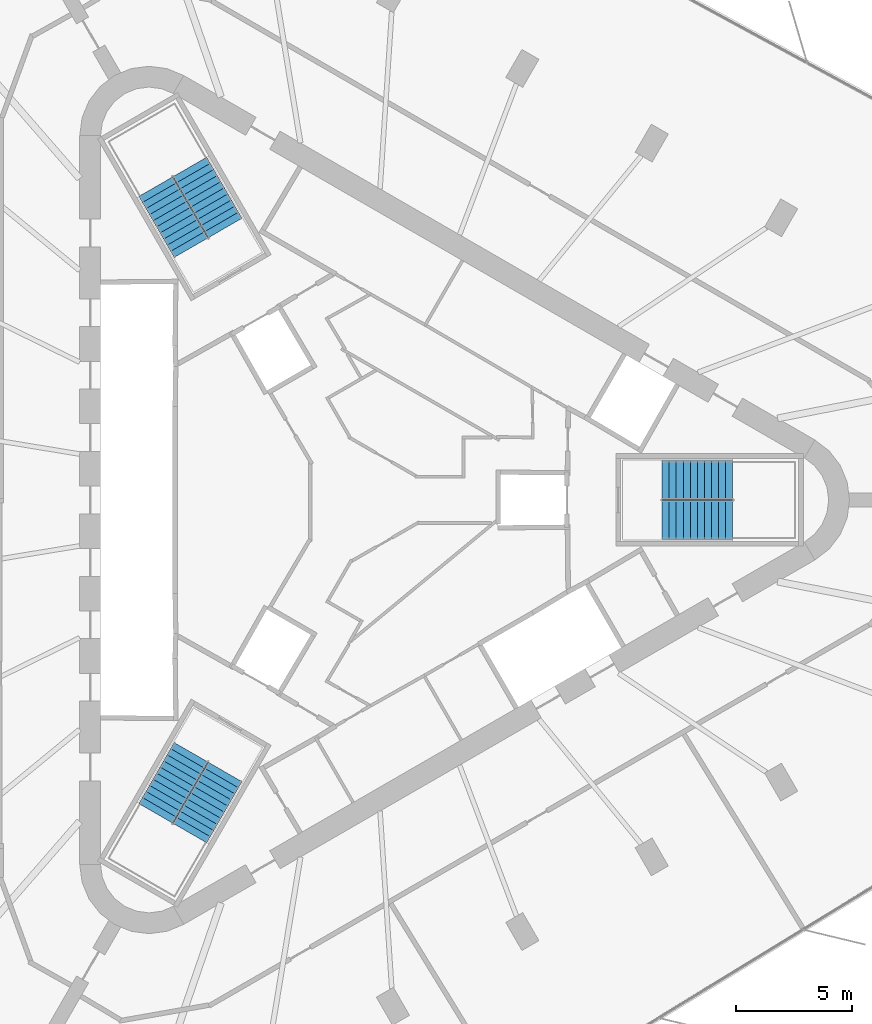
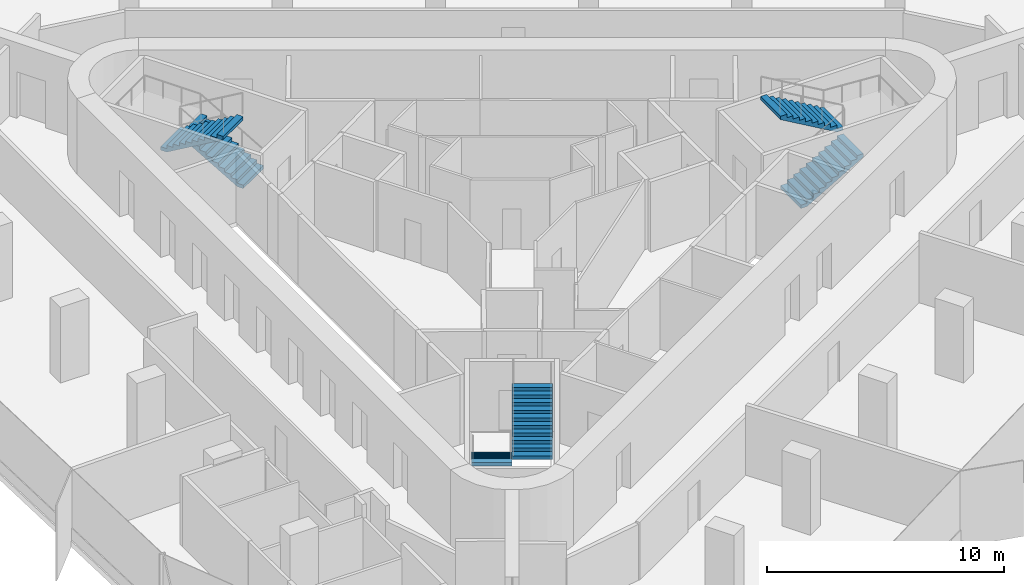
# One storey, part 11 of 12: 6 stair flights, 3 elements without a shape of their own.
"""IFC4 building model written with IfcOpenShell, lengths in metres."""

from ifc_helpers import new_model, si_unit, direction, frame, origin, place, context, subcontext, project, spatial, polyline, outline, extrude, material, type_object, element, aggregate, save


model = new_model("IFC4")

# Units and contexts
model_context = context("Model", 3, precision=1e-05, world=origin(), true_north=direction((0.0, 1.0)))
body_context = subcontext(model_context, "Body", "Model", "MODEL_VIEW")
ifc_project = project(units=[si_unit("LENGTHUNIT", "METRE"), si_unit("AREAUNIT", "SQUARE_METRE"), si_unit("VOLUMEUNIT", "CUBIC_METRE"), si_unit("PLANEANGLEUNIT", "RADIAN"), si_unit("MASSUNIT", "GRAM", prefix="KILO")], contexts=[model_context])

# Site, building, storey
site_placement = place(None, origin())
site = spatial("IfcSite", under=ifc_project, at=site_placement, CompositionType="ELEMENT")
building_placement = place(site_placement, origin())
building = spatial("IfcBuilding", under=site, at=building_placement, Name="Tanit Gate Tower", CompositionType="ELEMENT")
storey_placement = place(building_placement, frame((0.0, 0.0, 349.39990234375)))
storey = spatial("IfcBuildingStorey", under=building, at=storey_placement, Name="L79", CompositionType="ELEMENT", Elevation=349.39990234375)

# Stair, stair flights
ifc_material_1 = material(Name="Concrete C40/50", Category="concrete")
stair_type = type_object("IfcStairType", Name="INT-STAIR-EXIT", PredefinedType="HALF_TURN_STAIR", material=ifc_material_1)
stair_1_placement = place(storey_placement, origin())
stair_1 = element("IfcStair", 1, at=stair_1_placement, inside=storey, type_object=stair_type, Name="L79 STAIR S1", PredefinedType="HALF_TURN_STAIR")
ifc_material_2 = material(Name="Concrete C40/50", Category="concrete")
stair_flight_type = type_object("IfcStairFlightType", Name="INT-STAIR-FLIGHT", PredefinedType="STRAIGHT", material=ifc_material_2)
stair_flight_1_placement = place(storey_placement, frame((13.094970703125, -0.8525390625, 0.0), z_axis=(0.0, 0.0, 1.0), x_axis=(1.0, 0.0, 0.0)))
stair_flight_1 = element("IfcStairFlight", 2, at=stair_flight_1_placement, type_object=stair_flight_type, Name="S1 flight 1", NumberOfRisers=11, NumberOfTreads=10, PredefinedType="STRAIGHT", RiserHeight=0.177272727, TreadLength=0.3051, context=body_context, shape_type="SweptSolid", body=[
    extrude(outline(polyline([(0.0, 0.0), (0.0, 0.17724609375), (0.30517578125, 0.17724609375), (0.30517578125, 0.3544921875), (0.610107421875, 0.3544921875), (0.610107421875, 0.53173828125), (0.915283203125, 0.53173828125), (0.915283203125, 0.708984375), (1.220458984375, 0.708984375), (1.220458984375, 0.886474609375), (1.525390625, 0.886474609375), (1.525390625, 1.063720703125), (1.83056640625, 1.063720703125), (1.83056640625, 1.240966796875), (2.1357421875, 1.240966796875), (2.1357421875, 1.418212890625), (2.44091796875, 1.418212890625), (2.44091796875, 1.595458984375), (2.745849609375, 1.595458984375), (2.745849609375, 1.772705078125), (3.051025390625, 1.772705078125), (3.051025390625, 1.949951171875), (3.051025390625, 1.599365234375), (0.29833984375, 0.0), (0.0, 0.0)])), frame((0.0, 0.84765625, 0.0), z_axis=(0.0, -1.0, 0.0), x_axis=(1.0, 0.0, 0.0)), (0.0, 0.0, 1.0), 1.695068359375),
])
stair_flight_2_placement = place(storey_placement, frame((16.14599609375, 0.8525390625, 1.9501953125), z_axis=(0.0, 0.0, 1.0), x_axis=(-1.0, 0.0, 0.0)))
stair_flight_2 = element("IfcStairFlight", 3, at=stair_flight_2_placement, type_object=stair_flight_type, Name="S1 flight 2", NumberOfRisers=11, NumberOfTreads=10, PredefinedType="STRAIGHT", RiserHeight=0.177272727, TreadLength=0.3051, context=body_context, shape_type="SweptSolid", body=[
    extrude(outline(polyline([(0.0, 0.0), (0.0, 0.17724609375), (0.30517578125, 0.17724609375), (0.30517578125, 0.3544921875), (0.610107421875, 0.3544921875), (0.610107421875, 0.53173828125), (0.915283203125, 0.53173828125), (0.915283203125, 0.708984375), (1.220458984375, 0.708984375), (1.220458984375, 0.886474609375), (1.525390625, 0.886474609375), (1.525390625, 1.063720703125), (1.83056640625, 1.063720703125), (1.83056640625, 1.240966796875), (2.1357421875, 1.240966796875), (2.1357421875, 1.418212890625), (2.44091796875, 1.418212890625), (2.44091796875, 1.595458984375), (2.745849609375, 1.595458984375), (2.745849609375, 1.772705078125), (3.051025390625, 1.772705078125), (3.051025390625, 1.949951171875), (3.051025390625, 1.599365234375), (0.29833984375, 0.0), (0.0, 0.0)])), frame((0.0, 0.84765625, 0.0), z_axis=(0.0, -1.0, 0.0), x_axis=(1.0, 0.0, 0.0)), (0.0, 0.0, 1.0), 1.695068359375),
])
aggregate(stair_1, [stair_flight_1, stair_flight_2])

stair_2_placement = place(storey_placement, origin())
stair_2 = element("IfcStair", 4, at=stair_2_placement, inside=storey, type_object=stair_type, Name="L79 STAIR S2", PredefinedType="HALF_TURN_STAIR")
stair_flight_3_placement = place(storey_placement, frame((-5.808349609375, 11.766357421875, 0.0), z_axis=(0.0, 0.0, 1.0), x_axis=(-0.5, 0.866025403784, 0.0)))
stair_flight_3 = element("IfcStairFlight", 5, at=stair_flight_3_placement, type_object=stair_flight_type, Name="S2 flight 1", NumberOfRisers=11, NumberOfTreads=10, PredefinedType="STRAIGHT", RiserHeight=0.177272727, TreadLength=0.30492, context=body_context, shape_type="SweptSolid", body=[
    extrude(outline(polyline([(0.0, 0.0), (0.0, 0.17724609375), (0.304931640625, 0.17724609375), (0.304931640625, 0.3544921875), (0.60986328125, 0.3544921875), (0.60986328125, 0.53173828125), (0.914794921875, 0.53173828125), (0.914794921875, 0.708984375), (1.2197265625, 0.708984375), (1.2197265625, 0.886474609375), (1.524658203125, 0.886474609375), (1.524658203125, 1.063720703125), (1.82958984375, 1.063720703125), (1.82958984375, 1.240966796875), (2.134521484375, 1.240966796875), (2.134521484375, 1.418212890625), (2.439453125, 1.418212890625), (2.439453125, 1.595458984375), (2.744384765625, 1.595458984375), (2.744384765625, 1.772705078125), (3.04931640625, 1.772705078125), (3.04931640625, 1.949951171875), (3.04931640625, 1.599365234375), (0.29833984375, 0.0), (0.0, 0.0)])), frame((0.0, 0.84716796875, 0.0), z_axis=(0.0, -1.0, 0.0), x_axis=(1.0, 0.0, 0.0)), (0.0, 0.0, 1.0), 1.694091796875),
])
stair_flight_4_placement = place(storey_placement, frame((-8.810302734375, 13.553955078125, 1.9501953125), z_axis=(0.0, 0.0, 1.0), x_axis=(0.5, -0.866025403784, 0.0)))
stair_flight_4 = element("IfcStairFlight", 6, at=stair_flight_4_placement, type_object=stair_flight_type, Name="S2 flight 2", NumberOfRisers=11, NumberOfTreads=10, PredefinedType="STRAIGHT", RiserHeight=0.177272727, TreadLength=0.30492, context=body_context, shape_type="SweptSolid", body=[
    extrude(outline(polyline([(0.0, 0.0), (0.0, 0.17724609375), (0.304931640625, 0.17724609375), (0.304931640625, 0.3544921875), (0.60986328125, 0.3544921875), (0.60986328125, 0.53173828125), (0.914794921875, 0.53173828125), (0.914794921875, 0.708984375), (1.2197265625, 0.708984375), (1.2197265625, 0.886474609375), (1.524658203125, 0.886474609375), (1.524658203125, 1.063720703125), (1.82958984375, 1.063720703125), (1.82958984375, 1.240966796875), (2.134521484375, 1.240966796875), (2.134521484375, 1.418212890625), (2.439453125, 1.418212890625), (2.439453125, 1.595458984375), (2.744384765625, 1.595458984375), (2.744384765625, 1.772705078125), (3.04931640625, 1.772705078125), (3.04931640625, 1.949951171875), (3.04931640625, 1.599365234375), (0.29833984375, 0.0), (0.0, 0.0)])), frame((0.0, 0.84716796875, 0.0), z_axis=(0.0, -1.0, 0.0), x_axis=(1.0, 0.0, 0.0)), (0.0, 0.0, 1.0), 1.694091796875),
])
aggregate(stair_2, [stair_flight_3, stair_flight_4])

stair_3_placement = place(storey_placement, origin())
stair_3 = element("IfcStair", 7, at=stair_3_placement, inside=storey, type_object=stair_type, Name="L79 STAIR S3", PredefinedType="HALF_TURN_STAIR")
stair_flight_5_placement = place(storey_placement, frame((-7.285888671875, -10.914306640625, 0.0), z_axis=(0.0, 0.0, 1.0), x_axis=(-0.5, -0.866025403784, 0.0)))
stair_flight_5 = element("IfcStairFlight", 8, at=stair_flight_5_placement, type_object=stair_flight_type, Name="S3 flight 1", NumberOfRisers=11, NumberOfTreads=10, PredefinedType="STRAIGHT", RiserHeight=0.177272727, TreadLength=0.3051, context=body_context, shape_type="SweptSolid", body=[
    extrude(outline(polyline([(0.0, 0.0), (0.0, 0.17724609375), (0.30517578125, 0.17724609375), (0.30517578125, 0.3544921875), (0.610107421875, 0.3544921875), (0.610107421875, 0.53173828125), (0.915283203125, 0.53173828125), (0.915283203125, 0.708984375), (1.220458984375, 0.708984375), (1.220458984375, 0.886474609375), (1.525390625, 0.886474609375), (1.525390625, 1.063720703125), (1.83056640625, 1.063720703125), (1.83056640625, 1.240966796875), (2.1357421875, 1.240966796875), (2.1357421875, 1.418212890625), (2.44091796875, 1.418212890625), (2.44091796875, 1.595458984375), (2.745849609375, 1.595458984375), (2.745849609375, 1.772705078125), (3.051025390625, 1.772705078125), (3.051025390625, 1.949951171875), (3.051025390625, 1.599365234375), (0.29833984375, 0.0), (0.0, 0.0)])), frame((0.0, 0.84765625, 0.0), z_axis=(0.0, -1.0, 0.0), x_axis=(1.0, 0.0, 0.0)), (0.0, 0.0, 1.0), 1.695068359375),
])
stair_flight_6_placement = place(storey_placement, frame((-7.334716796875, -14.4091796875, 1.9501953125), z_axis=(0.0, 0.0, 1.0), x_axis=(0.5, 0.866025403784, 0.0)))
stair_flight_6 = element("IfcStairFlight", 9, at=stair_flight_6_placement, type_object=stair_flight_type, Name="S3 flight 2", NumberOfRisers=11, NumberOfTreads=10, PredefinedType="STRAIGHT", RiserHeight=0.177272727, TreadLength=0.3051, context=body_context, shape_type="SweptSolid", body=[
    extrude(outline(polyline([(0.0, 0.0), (0.0, 0.17724609375), (0.30517578125, 0.17724609375), (0.30517578125, 0.3544921875), (0.610107421875, 0.3544921875), (0.610107421875, 0.53173828125), (0.915283203125, 0.53173828125), (0.915283203125, 0.708984375), (1.220458984375, 0.708984375), (1.220458984375, 0.886474609375), (1.525390625, 0.886474609375), (1.525390625, 1.063720703125), (1.83056640625, 1.063720703125), (1.83056640625, 1.240966796875), (2.1357421875, 1.240966796875), (2.1357421875, 1.418212890625), (2.44091796875, 1.418212890625), (2.44091796875, 1.595458984375), (2.745849609375, 1.595458984375), (2.745849609375, 1.772705078125), (3.051025390625, 1.772705078125), (3.051025390625, 1.949951171875), (3.051025390625, 1.599365234375), (0.29833984375, 0.0), (0.0, 0.0)])), frame((0.0, 0.84765625, 0.0), z_axis=(0.0, -1.0, 0.0), x_axis=(1.0, 0.0, 0.0)), (0.0, 0.0, 1.0), 1.695068359375),
])
aggregate(stair_3, [stair_flight_5, stair_flight_6])

save(model, "model.ifc")
